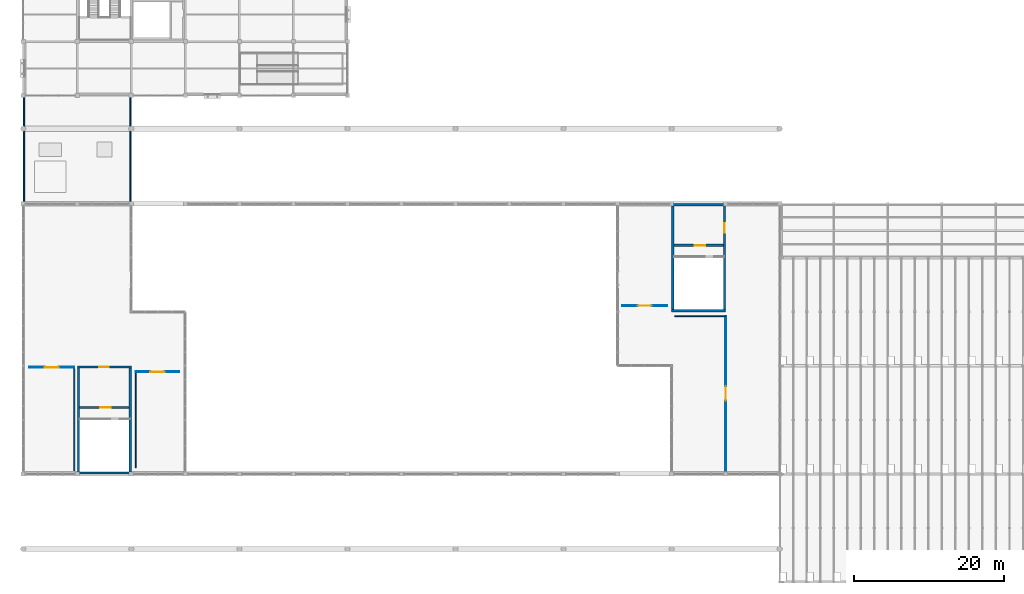
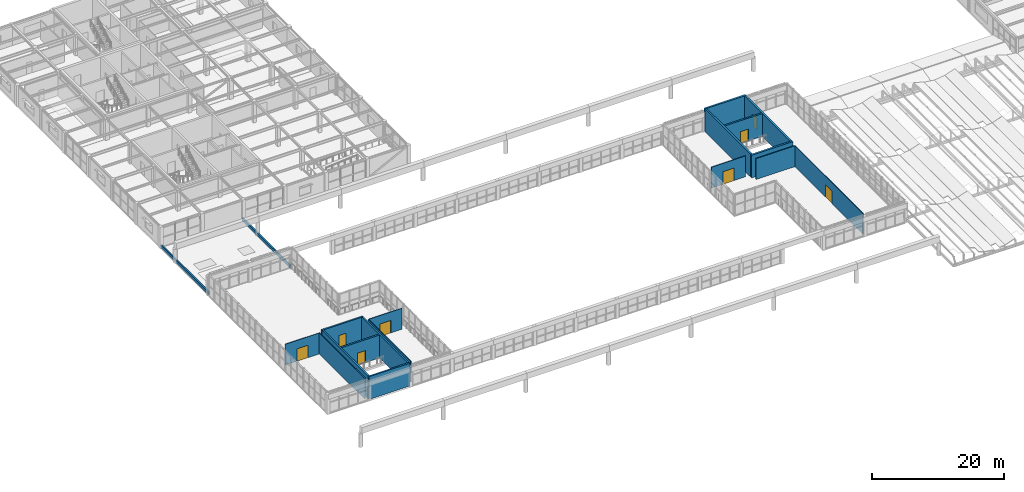
# One storey, part 64 of 83: 19 walls, 8 doors, 8 openings.
"""IFC4 building model written with IfcOpenShell, lengths in metres."""

from ifc_helpers import new_model, si_unit, direction, frame, frame_2d, origin, place, context, subcontext, project, spatial, rectangle, extrude, material, layer, layer_set, type_object, element, fill, save


model = new_model("IFC4")

# Units and contexts
model_context = context("Model", 3, precision=1e-05, world=origin(), true_north=direction((0.0, 1.0)))
body_context = subcontext(model_context, "Body", "Model", "MODEL_VIEW")
ifc_project = project(units=[si_unit("LENGTHUNIT", "METRE"), si_unit("AREAUNIT", "SQUARE_METRE"), si_unit("VOLUMEUNIT", "CUBIC_METRE"), si_unit("PLANEANGLEUNIT", "RADIAN"), si_unit("MASSUNIT", "GRAM", prefix="KILO")], contexts=[model_context])

# Site, building, storey
site_placement = place(None, origin())
site = spatial("IfcSite", under=ifc_project, at=site_placement, CompositionType="ELEMENT")
building_placement = place(site_placement, origin())
building = spatial("IfcBuilding", under=site, at=building_placement, Name="Leyfeld Transit Interchange", CompositionType="ELEMENT")
storey_placement = place(building_placement, frame((0.0, 0.0, 5.39990234375)))
storey = spatial("IfcBuildingStorey", under=building, at=storey_placement, Name="L01", CompositionType="ELEMENT", Elevation=5.39990234375)

# Wall, opening, door
ifc_material_1 = material(Name="Laminated safety acoustic glazing", Category="glass")
ifc_layer_1 = layer(ifc_material_1, 0.10498046875, Name="Laminated safety acoustic glazing")
ifc_layer_set_1 = layer_set([ifc_layer_1], Name="Laminated safety acoustic glazing")
wall_type_1 = type_object("IfcWallType", Name="WL-INT-GLZ-105", PredefinedType="PARTITIONING", material=ifc_layer_set_1)
wall_1_placement = place(storey_placement, frame((15.0, 28.0, 0.0), z_axis=(0.0, 0.0, 1.0), x_axis=(1.0, 0.0, 0.0)))
wall_1 = element("IfcWall", 1, at=wall_1_placement, inside=storey, type_object=wall_type_1, Name="Interior Partition L01-LNG-W N", PredefinedType="PARTITIONING", context=body_context, shape_type="SweptSolid", body=[
    extrude(rectangle(XDim=5.800048828125, YDim=0.10498046875, at=frame_2d((2.89990234375, 0.0))), origin(), (0.0, 0.0, 1.0), 3.85009765625),
])
opening_1_placement = place(wall_1_placement, frame((1.949951171875, 0.0, 0.0)))
opening_1 = element("IfcOpeningElement", 2, at=opening_1_placement, cuts=wall_1, Name="Opening DV-09", PredefinedType="OPENING", context=body_context, shape_type="SweptSolid", body=[
    extrude(rectangle(XDim=1.89990234375, YDim=2.300048828125, at=frame_2d((0.949951171875, 1.14990234375))), frame((0.0, 0.0625, 0.0), z_axis=(0.0, -1.0, 0.0), x_axis=(1.0, 0.0, 0.0)), (0.0, 0.0, 1.0), 0.125),
])
ifc_material_2 = material(Name="Austrian larch glulam GL28h", Category="wood")
door_type_1 = type_object("IfcDoorType", Name="DR-VAR-09", OperationType="NOTDEFINED", PredefinedType="DOOR", material=ifc_material_2)
door_1_placement = place(opening_1_placement, origin())
door_1 = element("IfcDoor", 3, at=door_1_placement, inside=storey, type_object=door_type_1, Name="DR-L01-LNG-W", OperationType="DOUBLE_DOOR_SINGLE_SWING", OverallHeight=2.300048828125, OverallWidth=1.89990234375, PredefinedType="DOOR", context=body_context, shape_type="SweptSolid", body=[
    extrude(rectangle(XDim=1.89990234375, YDim=2.300048828125, at=frame_2d((0.949951171875, 1.14990234375))), frame((0.0, 0.02490234375, 0.0), z_axis=(0.0, -1.0, 0.0), x_axis=(1.0, 0.0, 0.0)), (0.0, 0.0, 1.0), 0.050048828125),
])
fill(opening_1, door_1)

wall_2_placement = place(storey_placement, frame((93.60009765625, 35.39990234375, 0.0), z_axis=(0.0, 0.0, 1.0), x_axis=(0.0, -1.0, 0.0)))
wall_2 = element("IfcWall", 4, at=wall_2_placement, inside=storey, type_object=wall_type_1, Name="Interior Partition L01-VIP-E E", PredefinedType="PARTITIONING", context=body_context, shape_type="SweptSolid", body=[
    extrude(rectangle(XDim=20.599853515625, YDim=0.10498046875, at=frame_2d((10.2998046875, 0.0))), origin(), (0.0, 0.0, 1.0), 3.85009765625),
])
opening_2_placement = place(wall_2_placement, frame((9.35009765625, 0.0, 0.0)))
opening_2 = element("IfcOpeningElement", 5, at=opening_2_placement, cuts=wall_2, Name="Opening DV-09", PredefinedType="OPENING", context=body_context, shape_type="SweptSolid", body=[
    extrude(rectangle(XDim=1.89990234375, YDim=2.300048828125, at=frame_2d((0.949951171875, 1.14990234375))), frame((0.0, 0.0625, 0.0), z_axis=(0.0, -1.0, 0.0), x_axis=(1.0, 0.0, 0.0)), (0.0, 0.0, 1.0), 0.125),
])
door_2_placement = place(opening_2_placement, origin())
door_2 = element("IfcDoor", 6, at=door_2_placement, inside=storey, type_object=door_type_1, Name="DR-L01-VIP-E", OperationType="DOUBLE_DOOR_SINGLE_SWING", OverallHeight=2.300048828125, OverallWidth=1.89990234375, PredefinedType="DOOR", context=body_context, shape_type="SweptSolid", body=[
    extrude(rectangle(XDim=1.89990234375, YDim=2.300048828125, at=frame_2d((0.949951171875, 1.14990234375))), frame((0.0, 0.02490234375, 0.0), z_axis=(0.0, -1.0, 0.0), x_axis=(1.0, 0.0, 0.0)), (0.0, 0.0, 1.0), 0.050048828125),
])
fill(opening_2, door_2)

wall_3_placement = place(storey_placement, frame((0.800048828125, 28.60009765625, 0.0), z_axis=(0.0, 0.0, 1.0), x_axis=(1.0, 0.0, 0.0)))
wall_3 = element("IfcWall", 7, at=wall_3_placement, inside=storey, type_object=wall_type_1, Name="Interior Partition L01-VIP-W N", PredefinedType="PARTITIONING", context=body_context, shape_type="SweptSolid", body=[
    extrude(rectangle(XDim=6.0, YDim=0.10498046875, at=frame_2d((3.0, 0.0))), origin(), (0.0, 0.0, 1.0), 3.85009765625),
])
opening_3_placement = place(wall_3_placement, frame((2.050048828125, 0.0, 0.0)))
opening_3 = element("IfcOpeningElement", 8, at=opening_3_placement, cuts=wall_3, Name="Opening DV-09", PredefinedType="OPENING", context=body_context, shape_type="SweptSolid", body=[
    extrude(rectangle(XDim=1.89990234375, YDim=2.300048828125, at=frame_2d((0.949951171875, 1.14990234375))), frame((0.0, 0.0625, 0.0), z_axis=(0.0, -1.0, 0.0), x_axis=(1.0, 0.0, 0.0)), (0.0, 0.0, 1.0), 0.125),
])
door_3_placement = place(opening_3_placement, origin())
door_3 = element("IfcDoor", 9, at=door_3_placement, inside=storey, type_object=door_type_1, Name="DR-L01-VIP-W", OperationType="DOUBLE_DOOR_SINGLE_SWING", OverallHeight=2.300048828125, OverallWidth=1.89990234375, PredefinedType="DOOR", context=body_context, shape_type="SweptSolid", body=[
    extrude(rectangle(XDim=1.89990234375, YDim=2.300048828125, at=frame_2d((0.949951171875, 1.14990234375))), frame((0.0, 0.02490234375, 0.0), z_axis=(0.0, -1.0, 0.0), x_axis=(1.0, 0.0, 0.0)), (0.0, 0.0, 1.0), 0.050048828125),
])
fill(opening_3, door_3)

wall_4_placement = place(storey_placement, frame((85.800048828125, 36.800048828125, 0.0), z_axis=(0.0, 0.0, 1.0), x_axis=(-1.0, 0.0, 0.0)))
wall_4 = element("IfcWall", 10, at=wall_4_placement, inside=storey, type_object=wall_type_1, Name="Interior Partition L01-LNG-E S", PredefinedType="PARTITIONING", context=body_context, shape_type="SweptSolid", body=[
    extrude(rectangle(XDim=6.0, YDim=0.10498046875, at=frame_2d((3.0, 0.0))), origin(), (0.0, 0.0, 1.0), 3.85009765625),
])
opening_4_placement = place(wall_4_placement, frame((2.050048828125, 0.0, 0.0)))
opening_4 = element("IfcOpeningElement", 11, at=opening_4_placement, cuts=wall_4, Name="Opening DV-09", PredefinedType="OPENING", context=body_context, shape_type="SweptSolid", body=[
    extrude(rectangle(XDim=1.89990234375, YDim=2.300048828125, at=frame_2d((0.949951171875, 1.14990234375))), frame((0.0, 0.0625, 0.0), z_axis=(0.0, -1.0, 0.0), x_axis=(1.0, 0.0, 0.0)), (0.0, 0.0, 1.0), 0.125),
])
door_4_placement = place(opening_4_placement, origin())
door_4 = element("IfcDoor", 12, at=door_4_placement, inside=storey, type_object=door_type_1, Name="DR-L01-LNG-E", OperationType="DOUBLE_DOOR_SINGLE_SWING", OverallHeight=2.300048828125, OverallWidth=1.89990234375, PredefinedType="DOOR", context=body_context, shape_type="SweptSolid", body=[
    extrude(rectangle(XDim=1.89990234375, YDim=2.300048828125, at=frame_2d((0.949951171875, 1.14990234375))), frame((0.0, 0.02490234375, 0.0), z_axis=(0.0, -1.0, 0.0), x_axis=(1.0, 0.0, 0.0)), (0.0, 0.0, 1.0), 0.050048828125),
])
fill(opening_4, door_4)

# Walls
ifc_material_3 = material(Name="Gypsum plasterboard acoustic stud", Category="gypsum")
ifc_layer_2 = layer(ifc_material_3, 0.14501953125, Name="Gypsum plasterboard acoustic stud")
ifc_layer_set_2 = layer_set([ifc_layer_2], Name="Gypsum plasterboard acoustic stud")
wall_type_2 = type_object("IfcWallType", Name="WL-INT-STD-145", PredefinedType="PARTITIONING", material=ifc_layer_set_2)
wall_5_placement = place(storey_placement, frame((15.0, 15.199951171875, 0.0), z_axis=(0.0, 0.0, 1.0), x_axis=(0.0, 1.0, 0.0)))
element("IfcWall", 13, at=wall_5_placement, inside=storey, type_object=wall_type_2, Name="Interior Partition L01-LNG-W W", PredefinedType="PARTITIONING", context=body_context, shape_type="SweptSolid", body=[
    extrude(rectangle(XDim=12.800048828125, YDim=0.14501953125, at=frame_2d((6.39990234375, 0.0))), origin(), (0.0, 0.0, 1.0), 3.85009765625),
])
wall_6_placement = place(storey_placement, frame((86.800048828125, 35.39990234375, 0.0), z_axis=(0.0, 0.0, 1.0), x_axis=(1.0, 0.0, 0.0)))
element("IfcWall", 14, at=wall_6_placement, inside=storey, type_object=wall_type_2, Name="Interior Partition L01-VIP-E N", PredefinedType="PARTITIONING", context=body_context, shape_type="SweptSolid", body=[
    extrude(rectangle(XDim=6.800048828125, YDim=0.14501953125, at=frame_2d((3.39990234375, 0.0))), origin(), (0.0, 0.0, 1.0), 3.85009765625),
])
wall_7_placement = place(storey_placement, frame((6.800048828125, 28.60009765625, 0.0), z_axis=(0.0, 0.0, 1.0), x_axis=(0.0, -1.0, 0.0)))
element("IfcWall", 15, at=wall_7_placement, inside=storey, type_object=wall_type_2, Name="Interior Partition L01-VIP-W E", PredefinedType="PARTITIONING", context=body_context, shape_type="SweptSolid", body=[
    extrude(rectangle(XDim=13.800048828125, YDim=0.14501953125, at=frame_2d((6.89990234375, 0.0))), origin(), (0.0, 0.0, 1.0), 3.85009765625),
])
ifc_material_4 = material(Name="Clinker brick masonry - Insulated", Category="masonry")
ifc_layer_3 = layer(ifc_material_4, 0.22998046875, Name="Clinker brick masonry - Insulated")
ifc_layer_set_3 = layer_set([ifc_layer_3], Name="Clinker brick masonry - Insulated")
wall_type_3 = type_object("IfcWallType", Name="WL-PAR-230", PredefinedType="PARAPET", material=ifc_layer_set_3)
for number, where, z_axis, x_axis, name in (
    (16, (14.284912109375, 50.39990234375, 0.0), (0.0, 0.0, 1.0), (0.0, 1.0, 0.0), "Roof Parapet L01 001"),
    (17, (0.114990234375, 64.800048828125, 0.0), (0.0, 0.0, 1.0), (0.0, -1.0, 0.0), "Roof Parapet L01 002"),
):
    element("IfcWall", number, at=place(storey_placement, frame(where, z_axis=z_axis, x_axis=x_axis)), inside=storey, type_object=wall_type_3, Name=name, PredefinedType="PARAPET", context=body_context, shape_type="SweptSolid", body=[
        extrude(rectangle(XDim=14.400146484375, YDim=0.22998046875, at=frame_2d((7.2001953125, 0.0))), origin(), (0.0, 0.0, 1.0), 0.550048828125),
    ])

# Wall, opening, door
ifc_material_5 = material(Name="Concrete C35/45", Category="concrete")
ifc_layer_4 = layer(ifc_material_5, 0.300048828125, Name="Concrete C35/45")
ifc_layer_set_4 = layer_set([ifc_layer_4], Name="Concrete C35/45")
wall_type_4 = type_object("IfcWallType", Name="WL-SH-300", PredefinedType="SHEAR", material=ifc_layer_set_4)
wall_8_placement = place(storey_placement, frame((7.47998046875, 23.25, 0.0), z_axis=(0.0, 0.0, 1.0), x_axis=(1.0, 0.0, 0.0)))
wall_8 = element("IfcWall", 18, at=wall_8_placement, inside=storey, type_object=wall_type_4, Name="Core K6 Shear Wall STRN L01", PredefinedType="SHEAR", context=body_context, shape_type="SweptSolid", body=[
    extrude(rectangle(XDim=6.64013671875, YDim=0.300048828125, at=frame_2d((3.320068359375, 0.0))), origin(), (0.0, 0.0, 1.0), 4.2001953125),
])
opening_5_placement = place(wall_8_placement, frame((2.760009765625, 0.0, 0.0)))
opening_5 = element("IfcOpeningElement", 19, at=opening_5_placement, cuts=wall_8, Name="Opening DI-01", PredefinedType="OPENING", context=body_context, shape_type="SweptSolid", body=[
    extrude(rectangle(XDim=1.39990234375, YDim=2.199951171875, at=frame_2d((0.699951171875, 1.10009765625))), frame((0.0, 0.159912109375, 0.0), z_axis=(0.0, -1.0, 0.0), x_axis=(1.0, 0.0, 0.0)), (0.0, 0.0, 1.0), 0.320068359375),
])
ifc_material_6 = material(Name="Galvanised steel S275JR", Category="steel")
door_type_2 = type_object("IfcDoorType", Name="DR-STR-1400x2200", OperationType="NOTDEFINED", PredefinedType="DOOR", material=ifc_material_6)
door_5_placement = place(opening_5_placement, origin())
door_5 = element("IfcDoor", 20, at=door_5_placement, inside=storey, type_object=door_type_2, Name="DR-STR-INT-K6-L01", OperationType="SINGLE_SWING_RIGHT", OverallHeight=2.199951171875, OverallWidth=1.39990234375, PredefinedType="DOOR", context=body_context, shape_type="SweptSolid", body=[
    extrude(rectangle(XDim=1.39990234375, YDim=2.199951171875, at=frame_2d((0.699951171875, 1.10009765625))), frame((0.0, 0.02490234375, 0.0), z_axis=(0.0, -1.0, 0.0), x_axis=(1.0, 0.0, 0.0)), (0.0, 0.0, 1.0), 0.050048828125),
])
fill(opening_5, door_5)

wall_9_placement = place(storey_placement, frame((86.719970703125, 44.85009765625, 0.0), z_axis=(0.0, 0.0, 1.0), x_axis=(1.0, 0.0, 0.0)))
wall_9 = element("IfcWall", 21, at=wall_9_placement, inside=storey, type_object=wall_type_4, Name="Core K7 Shear Wall STRN L01", PredefinedType="SHEAR", context=body_context, shape_type="SweptSolid", body=[
    extrude(rectangle(XDim=6.56005859375, YDim=0.300048828125, at=frame_2d((3.280029296875, 0.0))), origin(), (0.0, 0.0, 1.0), 4.2001953125),
])
opening_6_placement = place(wall_9_placement, frame((2.739990234375, 0.0, 0.0)))
opening_6 = element("IfcOpeningElement", 22, at=opening_6_placement, cuts=wall_9, Name="Opening DI-01", PredefinedType="OPENING", context=body_context, shape_type="SweptSolid", body=[
    extrude(rectangle(XDim=1.39990234375, YDim=2.199951171875, at=frame_2d((0.699951171875, 1.10009765625))), frame((0.0, 0.159912109375, 0.0), z_axis=(0.0, -1.0, 0.0), x_axis=(1.0, 0.0, 0.0)), (0.0, 0.0, 1.0), 0.320068359375),
])
door_6_placement = place(opening_6_placement, origin())
door_6 = element("IfcDoor", 23, at=door_6_placement, inside=storey, type_object=door_type_2, Name="DR-STR-INT-K7-L01", OperationType="SINGLE_SWING_RIGHT", OverallHeight=2.199951171875, OverallWidth=1.39990234375, PredefinedType="DOOR", context=body_context, shape_type="SweptSolid", body=[
    extrude(rectangle(XDim=1.39990234375, YDim=2.199951171875, at=frame_2d((0.699951171875, 1.10009765625))), frame((0.0, 0.02490234375, 0.0), z_axis=(0.0, -1.0, 0.0), x_axis=(1.0, 0.0, 0.0)), (0.0, 0.0, 1.0), 0.050048828125),
])
fill(opening_6, door_6)

ifc_layer_5 = layer(ifc_material_5, 0.280029296875, Name="Concrete C35/45")
ifc_layer_set_5 = layer_set([ifc_layer_5], Name="Concrete C35/45")
wall_type_5 = type_object("IfcWallType", Name="WL-SH-VAR-280", PredefinedType="SHEAR", material=ifc_layer_set_5)
wall_10_placement = place(storey_placement, frame((7.199951171875, 28.659912109375, 0.0), z_axis=(0.0, 0.0, 1.0), x_axis=(1.0, 0.0, 0.0)))
wall_10 = element("IfcWall", 24, at=wall_10_placement, inside=storey, type_object=wall_type_5, Name="Core K6 Shear Wall N L01", PredefinedType="SHEAR", context=body_context, shape_type="SweptSolid", body=[
    extrude(rectangle(XDim=7.199951171875, YDim=0.280029296875, at=frame_2d((3.60009765625, 0.0))), origin(), (0.0, 0.0, 1.0), 4.2001953125),
])
opening_7_placement = place(wall_10_placement, frame((2.949951171875, 0.0, 0.0)))
opening_7 = element("IfcOpeningElement", 25, at=opening_7_placement, cuts=wall_10, Name="Opening DI-02", PredefinedType="OPENING", context=body_context, shape_type="SweptSolid", body=[
    extrude(rectangle(XDim=1.25, YDim=2.199951171875, at=frame_2d((0.625, 1.10009765625))), frame((0.0, 0.14990234375, 0.0), z_axis=(0.0, -1.0, 0.0), x_axis=(1.0, 0.0, 0.0)), (0.0, 0.0, 1.0), 0.300048828125),
])
door_type_3 = type_object("IfcDoorType", Name="DR-FFL-1250x2200", OperationType="NOTDEFINED", PredefinedType="DOOR", material=ifc_material_6)
door_7_placement = place(opening_7_placement, origin())
door_7 = element("IfcDoor", 26, at=door_7_placement, inside=storey, type_object=door_type_3, Name="DR-CORE-OUT-K6-L01", OperationType="SINGLE_SWING_LEFT", OverallHeight=2.199951171875, OverallWidth=1.25, PredefinedType="DOOR", context=body_context, shape_type="SweptSolid", body=[
    extrude(rectangle(XDim=1.25, YDim=2.199951171875, at=frame_2d((0.625, 1.10009765625))), frame((0.0, 0.02490234375, 0.0), z_axis=(0.0, -1.0, 0.0), x_axis=(1.0, 0.0, 0.0)), (0.0, 0.0, 1.0), 0.050048828125),
])
fill(opening_7, door_7)

# Walls
wall_11_placement = place(storey_placement, frame((14.260009765625, 28.52001953125, 0.0), z_axis=(0.0, 0.0, 1.0), x_axis=(0.0, -1.0, 0.0)))
element("IfcWall", 27, at=wall_11_placement, inside=storey, type_object=wall_type_5, Name="Core K6 Shear Wall E L01", PredefinedType="SHEAR", context=body_context, shape_type="SweptSolid", body=[
    extrude(rectangle(XDim=13.840087890625, YDim=0.280029296875, at=frame_2d((6.919921875, 0.0))), origin(), (0.0, 0.0, 1.0), 4.2001953125),
])
wall_12_placement = place(storey_placement, frame((14.39990234375, 14.5400390625, 0.0), z_axis=(0.0, 0.0, 1.0), x_axis=(-1.0, 0.0, 0.0)))
element("IfcWall", 28, at=wall_12_placement, inside=storey, type_object=wall_type_5, Name="Core K6 Shear Wall S L01", PredefinedType="SHEAR", context=body_context, shape_type="SweptSolid", body=[
    extrude(rectangle(XDim=7.199951171875, YDim=0.280029296875, at=frame_2d((3.60009765625, 0.0))), origin(), (0.0, 0.0, 1.0), 4.2001953125),
])
wall_13_placement = place(storey_placement, frame((7.340087890625, 14.679931640625, 0.0), z_axis=(0.0, 0.0, 1.0), x_axis=(0.0, 1.0, 0.0)))
element("IfcWall", 29, at=wall_13_placement, inside=storey, type_object=wall_type_5, Name="Core K6 Shear Wall W L01", PredefinedType="SHEAR", context=body_context, shape_type="SweptSolid", body=[
    extrude(rectangle(XDim=13.840087890625, YDim=0.280029296875, at=frame_2d((6.919921875, 0.0))), origin(), (0.0, 0.0, 1.0), 4.2001953125),
])
ifc_layer_6 = layer(ifc_material_5, 0.320068359375, Name="Concrete C35/45")
ifc_layer_set_6 = layer_set([ifc_layer_6], Name="Concrete C35/45")
wall_type_6 = type_object("IfcWallType", Name="WL-SH-VAR-320", PredefinedType="SHEAR", material=ifc_layer_set_6)
wall_14_placement = place(storey_placement, frame((86.39990234375, 50.239990234375, 0.0), z_axis=(0.0, 0.0, 1.0), x_axis=(1.0, 0.0, 0.0)))
element("IfcWall", 30, at=wall_14_placement, inside=storey, type_object=wall_type_6, Name="Core K7 Shear Wall N L01", PredefinedType="SHEAR", context=body_context, shape_type="SweptSolid", body=[
    extrude(rectangle(XDim=7.2001953125, YDim=0.320068359375, at=frame_2d((3.60009765625, 0.0))), origin(), (0.0, 0.0, 1.0), 4.2001953125),
])

# Wall, opening, door
wall_15_placement = place(storey_placement, frame((93.43994140625, 50.080078125, 0.0), z_axis=(0.0, 0.0, 1.0), x_axis=(0.0, -1.0, 0.0)))
wall_15 = element("IfcWall", 31, at=wall_15_placement, inside=storey, type_object=wall_type_6, Name="Core K7 Shear Wall E L01", PredefinedType="SHEAR", context=body_context, shape_type="SweptSolid", body=[
    extrude(rectangle(XDim=13.760009765625, YDim=0.320068359375, at=frame_2d((6.8798828125, 0.0))), origin(), (0.0, 0.0, 1.0), 4.2001953125),
])
opening_8_placement = place(wall_15_placement, frame((2.300048828125, 0.0, 0.0)))
opening_8 = element("IfcOpeningElement", 32, at=opening_8_placement, cuts=wall_15, Name="Opening DI-02", PredefinedType="OPENING", context=body_context, shape_type="SweptSolid", body=[
    extrude(rectangle(XDim=1.25, YDim=2.199951171875, at=frame_2d((0.625, 1.10009765625))), frame((0.0, 0.169921875, 0.0), z_axis=(0.0, -1.0, 0.0), x_axis=(1.0, 0.0, 0.0)), (0.0, 0.0, 1.0), 0.340087890625),
])
door_8_placement = place(opening_8_placement, origin())
door_8 = element("IfcDoor", 33, at=door_8_placement, inside=storey, type_object=door_type_3, Name="DR-CORE-OUT-K7-L01", OperationType="SINGLE_SWING_LEFT", OverallHeight=2.199951171875, OverallWidth=1.25, PredefinedType="DOOR", context=body_context, shape_type="SweptSolid", body=[
    extrude(rectangle(XDim=1.25, YDim=2.199951171875, at=frame_2d((0.625, 1.10009765625))), frame((0.0, 0.02490234375, 0.0), z_axis=(0.0, -1.0, 0.0), x_axis=(1.0, 0.0, 0.0)), (0.0, 0.0, 1.0), 0.050048828125),
])
fill(opening_8, door_8)

# Walls
wall_16_placement = place(storey_placement, frame((93.60009765625, 36.159912109375, 0.0), z_axis=(0.0, 0.0, 1.0), x_axis=(-1.0, 0.0, 0.0)))
element("IfcWall", 34, at=wall_16_placement, inside=storey, type_object=wall_type_6, Name="Core K7 Shear Wall S L01", PredefinedType="SHEAR", context=body_context, shape_type="SweptSolid", body=[
    extrude(rectangle(XDim=7.2001953125, YDim=0.320068359375, at=frame_2d((3.60009765625, 0.0))), origin(), (0.0, 0.0, 1.0), 4.2001953125),
])
wall_17_placement = place(storey_placement, frame((86.56005859375, 36.320068359375, 0.0), z_axis=(0.0, 0.0, 1.0), x_axis=(0.0, 1.0, 0.0)))
element("IfcWall", 35, at=wall_17_placement, inside=storey, type_object=wall_type_6, Name="Core K7 Shear Wall W L01", PredefinedType="SHEAR", context=body_context, shape_type="SweptSolid", body=[
    extrude(rectangle(XDim=13.760009765625, YDim=0.320068359375, at=frame_2d((6.8798828125, 0.0))), origin(), (0.0, 0.0, 1.0), 4.2001953125),
])

save(model, "model.ifc")
